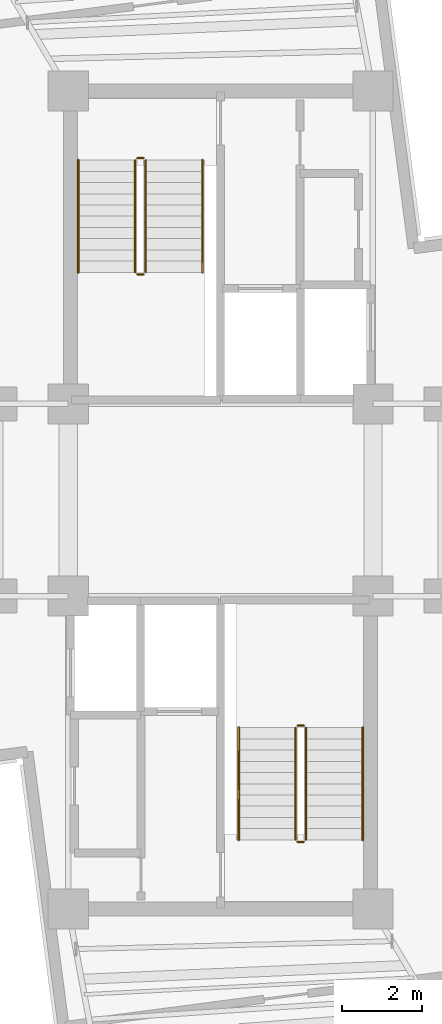
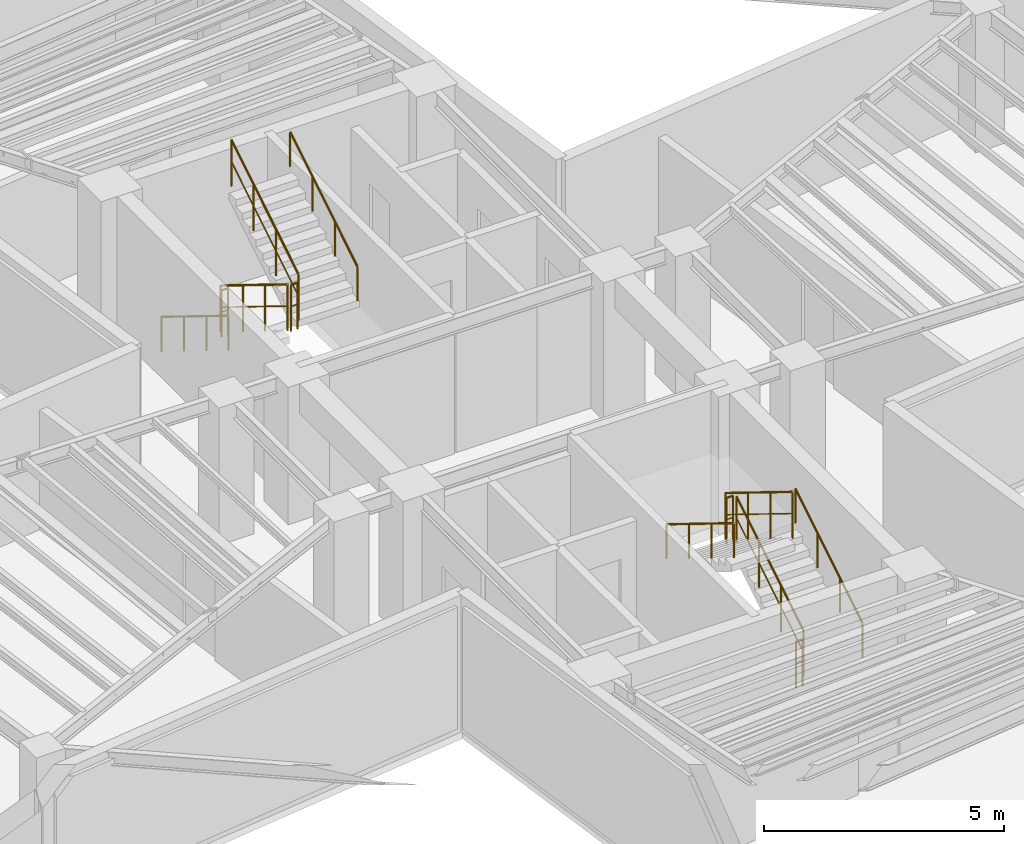
# One storey, part 6 of 6: 12 railings.
"""IFC4 building model written with IfcOpenShell, lengths in metres."""

from ifc_helpers import new_model, si_unit, direction, frame, origin, origin_2d, place, context, subcontext, project, spatial, circle, extrude, material, type_object, element, save


model = new_model("IFC4")

# Units and contexts
model_context = context("Model", 3, precision=1e-05, world=origin(), true_north=direction((0.0, 1.0)))
body_context = subcontext(model_context, "Body", "Model", "MODEL_VIEW")
ifc_project = project(units=[si_unit("LENGTHUNIT", "METRE"), si_unit("AREAUNIT", "SQUARE_METRE"), si_unit("VOLUMEUNIT", "CUBIC_METRE"), si_unit("PLANEANGLEUNIT", "RADIAN"), si_unit("MASSUNIT", "GRAM", prefix="KILO")], contexts=[model_context])

# Site, building, storey
site_placement = place(None, origin())
site = spatial("IfcSite", under=ifc_project, at=site_placement, CompositionType="ELEMENT")
building_placement = place(site_placement, origin())
building = spatial("IfcBuilding", under=site, at=building_placement, Name="Sahyath Konkavel Grand Hotel", CompositionType="ELEMENT")
storey_placement = place(building_placement, frame((0.0, 0.0, 285.10009765625)))
storey = spatial("IfcBuildingStorey", under=building, at=storey_placement, Name="L79", CompositionType="ELEMENT", Elevation=285.10009765625)

# Railings
ifc_material_1 = material(Name="Steel E350", Category="steel")
railing_type_1 = type_object("IfcRailingType", Name="RLG-STAIR-GRD", PredefinedType="GUARDRAIL", material=ifc_material_1)
railing_1_placement = place(storey_placement, frame((-2.1298828125, 8.47998046875, 0.172607421875)))
element("IfcRailing", 1, at=railing_1_placement, inside=storey, type_object=railing_type_1, Name="L79 ST-1 stair guard 1", PredefinedType="GUARDRAIL", context=body_context, shape_type="SweptSolid", body=[
    extrude(circle(Radius=0.02392578125, at=origin_2d()), frame((0.0, -0.001708984375, 1.177001953125), z_axis=(0.0, -0.851089632645, 0.525020415988), x_axis=(1.0, 0.0, 0.0)), (0.0, 0.0, 1.0), 3.285888671875),
    extrude(circle(Radius=0.01416015625, at=origin_2d()), frame((0.0, -0.001708984375, 0.625), z_axis=(0.0, -0.851089632645, 0.525020415988), x_axis=(1.0, 0.0, 0.0)), (0.0, 0.0, 1.0), 3.285888671875),
    extrude(circle(Radius=0.02099609375, at=origin_2d()), origin(), (0.0, 0.0, 1.0), 1.15185546875),
    extrude(circle(Radius=0.02099609375, at=origin_2d()), frame((0.0, -0.933349609375, 0.57568359375)), (0.0, 0.0, 1.0), 1.15185546875),
    extrude(circle(Radius=0.02099609375, at=origin_2d()), frame((0.0, -1.86669921875, 1.151611328125)), (0.0, 0.0, 1.0), 1.15185546875),
    extrude(circle(Radius=0.02099609375, at=origin_2d()), frame((0.0, -2.800048828125, 1.727294921875)), (0.0, 0.0, 1.0), 1.15185546875),
])
railing_2_placement = place(storey_placement, frame((-2.080078125, 5.6298828125, 1.89990234375)))
element("IfcRailing", 2, at=railing_2_placement, inside=storey, type_object=railing_type_1, Name="L79 ST-1 stair guard 2", PredefinedType="GUARDRAIL", context=body_context, shape_type="SweptSolid", body=[
    extrude(circle(Radius=0.02392578125, at=origin_2d()), frame((0.001953125, 0.0, 1.17578125), z_axis=(1.0, 0.0, 0.0), x_axis=(0.0, 1.0, 0.0)), (0.0, 0.0, 1.0), 0.15625),
    extrude(circle(Radius=0.01416015625, at=origin_2d()), frame((0.001953125, 0.0, 0.6240234375), z_axis=(1.0, 0.0, 0.0), x_axis=(0.0, 1.0, 0.0)), (0.0, 0.0, 1.0), 0.15625),
    extrude(circle(Radius=0.02099609375, at=origin_2d()), origin(), (0.0, 0.0, 1.0), 1.15185546875),
    extrude(circle(Radius=0.02099609375, at=origin_2d()), frame((0.16015625, 0.0, 0.0)), (0.0, 0.0, 1.0), 1.15185546875),
])
railing_3_placement = place(storey_placement, frame((-1.8701171875, 5.679931640625, 2.072509765625)))
element("IfcRailing", 3, at=railing_3_placement, inside=storey, type_object=railing_type_1, Name="L79 ST-1 stair guard 3", PredefinedType="GUARDRAIL", context=body_context, shape_type="SweptSolid", body=[
    extrude(circle(Radius=0.02392578125, at=origin_2d()), frame((0.0, 0.001708984375, 1.177001953125), z_axis=(0.0, 0.851089632645, 0.525020415988), x_axis=(-1.0, 0.0, 0.0)), (0.0, 0.0, 1.0), 3.285888671875),
    extrude(circle(Radius=0.01416015625, at=origin_2d()), frame((0.0, 0.001708984375, 0.625), z_axis=(0.0, 0.851089632645, 0.525020415988), x_axis=(-1.0, 0.0, 0.0)), (0.0, 0.0, 1.0), 3.285888671875),
    extrude(circle(Radius=0.02099609375, at=origin_2d()), origin(), (0.0, 0.0, 1.0), 1.15185546875),
    extrude(circle(Radius=0.02099609375, at=origin_2d()), frame((0.0, 0.933349609375, 0.57568359375)), (0.0, 0.0, 1.0), 1.15185546875),
    extrude(circle(Radius=0.02099609375, at=origin_2d()), frame((0.0, 1.86669921875, 1.151611328125)), (0.0, 0.0, 1.0), 1.15185546875),
    extrude(circle(Radius=0.02099609375, at=origin_2d()), frame((0.0, 2.800048828125, 1.727294921875)), (0.0, 0.0, 1.0), 1.15185546875),
])
railing_4_placement = place(storey_placement, frame((-2.080078125, 8.530029296875, 0.0)))
element("IfcRailing", 4, at=railing_4_placement, inside=storey, type_object=railing_type_1, Name="L79 ST-1 stair guard 4", PredefinedType="GUARDRAIL", context=body_context, shape_type="SweptSolid", body=[
    extrude(circle(Radius=0.02392578125, at=origin_2d()), frame((0.001953125, 0.0, 1.17578125), z_axis=(1.0, 0.0, 0.0), x_axis=(0.0, 1.0, 0.0)), (0.0, 0.0, 1.0), 0.15625),
    extrude(circle(Radius=0.01416015625, at=origin_2d()), frame((0.001953125, 0.0, 0.6240234375), z_axis=(1.0, 0.0, 0.0), x_axis=(0.0, 1.0, 0.0)), (0.0, 0.0, 1.0), 0.15625),
    extrude(circle(Radius=0.02099609375, at=origin_2d()), origin(), (0.0, 0.0, 1.0), 1.15185546875),
    extrude(circle(Radius=0.02099609375, at=origin_2d()), frame((0.16015625, 0.0, 0.0)), (0.0, 0.0, 1.0), 1.15185546875),
])
railing_5_placement = place(storey_placement, frame((2.1298828125, -8.47998046875, 0.172607421875)))
element("IfcRailing", 5, at=railing_5_placement, inside=storey, type_object=railing_type_1, Name="L79 ST-2 stair guard 1", PredefinedType="GUARDRAIL", context=body_context, shape_type="SweptSolid", body=[
    extrude(circle(Radius=0.02392578125, at=origin_2d()), frame((0.0, 0.001708984375, 1.177001953125), z_axis=(0.0, 0.851089632645, 0.525020415988), x_axis=(-1.0, 0.0, 0.0)), (0.0, 0.0, 1.0), 3.285888671875),
    extrude(circle(Radius=0.01416015625, at=origin_2d()), frame((0.0, 0.001708984375, 0.625), z_axis=(0.0, 0.851089632645, 0.525020415988), x_axis=(-1.0, 0.0, 0.0)), (0.0, 0.0, 1.0), 3.285888671875),
    extrude(circle(Radius=0.02099609375, at=origin_2d()), origin(), (0.0, 0.0, 1.0), 1.15185546875),
    extrude(circle(Radius=0.02099609375, at=origin_2d()), frame((0.0, 0.933349609375, 0.57568359375)), (0.0, 0.0, 1.0), 1.15185546875),
    extrude(circle(Radius=0.02099609375, at=origin_2d()), frame((0.0, 1.86669921875, 1.151611328125)), (0.0, 0.0, 1.0), 1.15185546875),
    extrude(circle(Radius=0.02099609375, at=origin_2d()), frame((0.0, 2.800048828125, 1.727294921875)), (0.0, 0.0, 1.0), 1.15185546875),
])
railing_6_placement = place(storey_placement, frame((2.080078125, -5.6298828125, 1.89990234375)))
element("IfcRailing", 6, at=railing_6_placement, inside=storey, type_object=railing_type_1, Name="L79 ST-2 stair guard 2", PredefinedType="GUARDRAIL", context=body_context, shape_type="SweptSolid", body=[
    extrude(circle(Radius=0.02392578125, at=origin_2d()), frame((-0.001953125, 0.0, 1.17578125), z_axis=(-1.0, 0.0, 0.0), x_axis=(0.0, -1.0, 0.0)), (0.0, 0.0, 1.0), 0.15625),
    extrude(circle(Radius=0.01416015625, at=origin_2d()), frame((-0.001953125, 0.0, 0.6240234375), z_axis=(-1.0, 0.0, 0.0), x_axis=(0.0, -1.0, 0.0)), (0.0, 0.0, 1.0), 0.15625),
    extrude(circle(Radius=0.02099609375, at=origin_2d()), origin(), (0.0, 0.0, 1.0), 1.15185546875),
    extrude(circle(Radius=0.02099609375, at=origin_2d()), frame((-0.16015625, 0.0, 0.0)), (0.0, 0.0, 1.0), 1.15185546875),
])
railing_7_placement = place(storey_placement, frame((1.8701171875, -5.679931640625, 2.072509765625)))
element("IfcRailing", 7, at=railing_7_placement, inside=storey, type_object=railing_type_1, Name="L79 ST-2 stair guard 3", PredefinedType="GUARDRAIL", context=body_context, shape_type="SweptSolid", body=[
    extrude(circle(Radius=0.02392578125, at=origin_2d()), frame((0.0, -0.001708984375, 1.177001953125), z_axis=(0.0, -0.851089632645, 0.525020415988), x_axis=(1.0, 0.0, 0.0)), (0.0, 0.0, 1.0), 3.285888671875),
    extrude(circle(Radius=0.01416015625, at=origin_2d()), frame((0.0, -0.001708984375, 0.625), z_axis=(0.0, -0.851089632645, 0.525020415988), x_axis=(1.0, 0.0, 0.0)), (0.0, 0.0, 1.0), 3.285888671875),
    extrude(circle(Radius=0.02099609375, at=origin_2d()), origin(), (0.0, 0.0, 1.0), 1.15185546875),
    extrude(circle(Radius=0.02099609375, at=origin_2d()), frame((0.0, -0.933349609375, 0.57568359375)), (0.0, 0.0, 1.0), 1.15185546875),
    extrude(circle(Radius=0.02099609375, at=origin_2d()), frame((0.0, -1.86669921875, 1.151611328125)), (0.0, 0.0, 1.0), 1.15185546875),
    extrude(circle(Radius=0.02099609375, at=origin_2d()), frame((0.0, -2.800048828125, 1.727294921875)), (0.0, 0.0, 1.0), 1.15185546875),
])
railing_8_placement = place(storey_placement, frame((2.080078125, -8.530029296875, 0.0)))
element("IfcRailing", 8, at=railing_8_placement, inside=storey, type_object=railing_type_1, Name="L79 ST-2 stair guard 4", PredefinedType="GUARDRAIL", context=body_context, shape_type="SweptSolid", body=[
    extrude(circle(Radius=0.02392578125, at=origin_2d()), frame((-0.001953125, 0.0, 1.17578125), z_axis=(-1.0, 0.0, 0.0), x_axis=(0.0, -1.0, 0.0)), (0.0, 0.0, 1.0), 0.15625),
    extrude(circle(Radius=0.01416015625, at=origin_2d()), frame((-0.001953125, 0.0, 0.6240234375), z_axis=(-1.0, 0.0, 0.0), x_axis=(0.0, -1.0, 0.0)), (0.0, 0.0, 1.0), 0.15625),
    extrude(circle(Radius=0.02099609375, at=origin_2d()), origin(), (0.0, 0.0, 1.0), 1.15185546875),
    extrude(circle(Radius=0.02099609375, at=origin_2d()), frame((-0.16015625, 0.0, 0.0)), (0.0, 0.0, 1.0), 1.15185546875),
])
ifc_material_2 = material(Name="Anodised Bronze Aluminium", Category="aluminium")
railing_type_2 = type_object("IfcRailingType", Name="RLG-STAIR-HND", PredefinedType="HANDRAIL", material=ifc_material_2)
railing_9_placement = place(storey_placement, frame((-3.550048828125, 8.47998046875, 0.172607421875)))
element("IfcRailing", 9, at=railing_9_placement, inside=storey, type_object=railing_type_2, Name="L79 ST-1 stair handrail 1", PredefinedType="HANDRAIL", context=body_context, shape_type="SweptSolid", body=[
    extrude(circle(Radius=0.02392578125, at=origin_2d()), frame((0.0, -0.001708984375, 0.876953125), z_axis=(0.0, -0.851089632645, 0.525020415988), x_axis=(1.0, 0.0, 0.0)), (0.0, 0.0, 1.0), 3.285888671875),
    extrude(circle(Radius=0.02099609375, at=origin_2d()), origin(), (0.0, 0.0, 1.0), 0.851806640625),
    extrude(circle(Radius=0.02099609375, at=origin_2d()), frame((0.0, -0.933349609375, 0.57568359375)), (0.0, 0.0, 1.0), 0.851806640625),
    extrude(circle(Radius=0.02099609375, at=origin_2d()), frame((0.0, -1.86669921875, 1.151611328125)), (0.0, 0.0, 1.0), 0.851806640625),
    extrude(circle(Radius=0.02099609375, at=origin_2d()), frame((0.0, -2.800048828125, 1.727294921875)), (0.0, 0.0, 1.0), 0.851806640625),
])
for number, where, name in (
    (10, (-0.449951171875, 5.679931640625, 2.072509765625), "L79 ST-1 stair handrail 2"),
    (11, (3.550048828125, -8.47998046875, 0.172607421875), "L79 ST-2 stair handrail 1"),
):
    element("IfcRailing", number, at=place(storey_placement, frame(where)), inside=storey, type_object=railing_type_2, Name=name, PredefinedType="HANDRAIL", context=body_context, shape_type="SweptSolid", body=[
        extrude(circle(Radius=0.02392578125, at=origin_2d()), frame((0.0, 0.001708984375, 0.876953125), z_axis=(0.0, 0.851089632645, 0.525020415988), x_axis=(-1.0, 0.0, 0.0)), (0.0, 0.0, 1.0), 3.285888671875),
        extrude(circle(Radius=0.02099609375, at=origin_2d()), origin(), (0.0, 0.0, 1.0), 0.851806640625),
        extrude(circle(Radius=0.02099609375, at=origin_2d()), frame((0.0, 0.933349609375, 0.57568359375)), (0.0, 0.0, 1.0), 0.851806640625),
        extrude(circle(Radius=0.02099609375, at=origin_2d()), frame((0.0, 1.86669921875, 1.151611328125)), (0.0, 0.0, 1.0), 0.851806640625),
        extrude(circle(Radius=0.02099609375, at=origin_2d()), frame((0.0, 2.800048828125, 1.727294921875)), (0.0, 0.0, 1.0), 0.851806640625),
    ])
railing_10_placement = place(storey_placement, frame((0.449951171875, -5.679931640625, 2.072509765625)))
element("IfcRailing", 12, at=railing_10_placement, inside=storey, type_object=railing_type_2, Name="L79 ST-2 stair handrail 2", PredefinedType="HANDRAIL", context=body_context, shape_type="SweptSolid", body=[
    extrude(circle(Radius=0.02392578125, at=origin_2d()), frame((0.0, -0.001708984375, 0.876953125), z_axis=(0.0, -0.851089632645, 0.525020415988), x_axis=(1.0, 0.0, 0.0)), (0.0, 0.0, 1.0), 3.285888671875),
    extrude(circle(Radius=0.02099609375, at=origin_2d()), origin(), (0.0, 0.0, 1.0), 0.851806640625),
    extrude(circle(Radius=0.02099609375, at=origin_2d()), frame((0.0, -0.933349609375, 0.57568359375)), (0.0, 0.0, 1.0), 0.851806640625),
    extrude(circle(Radius=0.02099609375, at=origin_2d()), frame((0.0, -1.86669921875, 1.151611328125)), (0.0, 0.0, 1.0), 0.851806640625),
    extrude(circle(Radius=0.02099609375, at=origin_2d()), frame((0.0, -2.800048828125, 1.727294921875)), (0.0, 0.0, 1.0), 0.851806640625),
])

save(model, "model.ifc")
